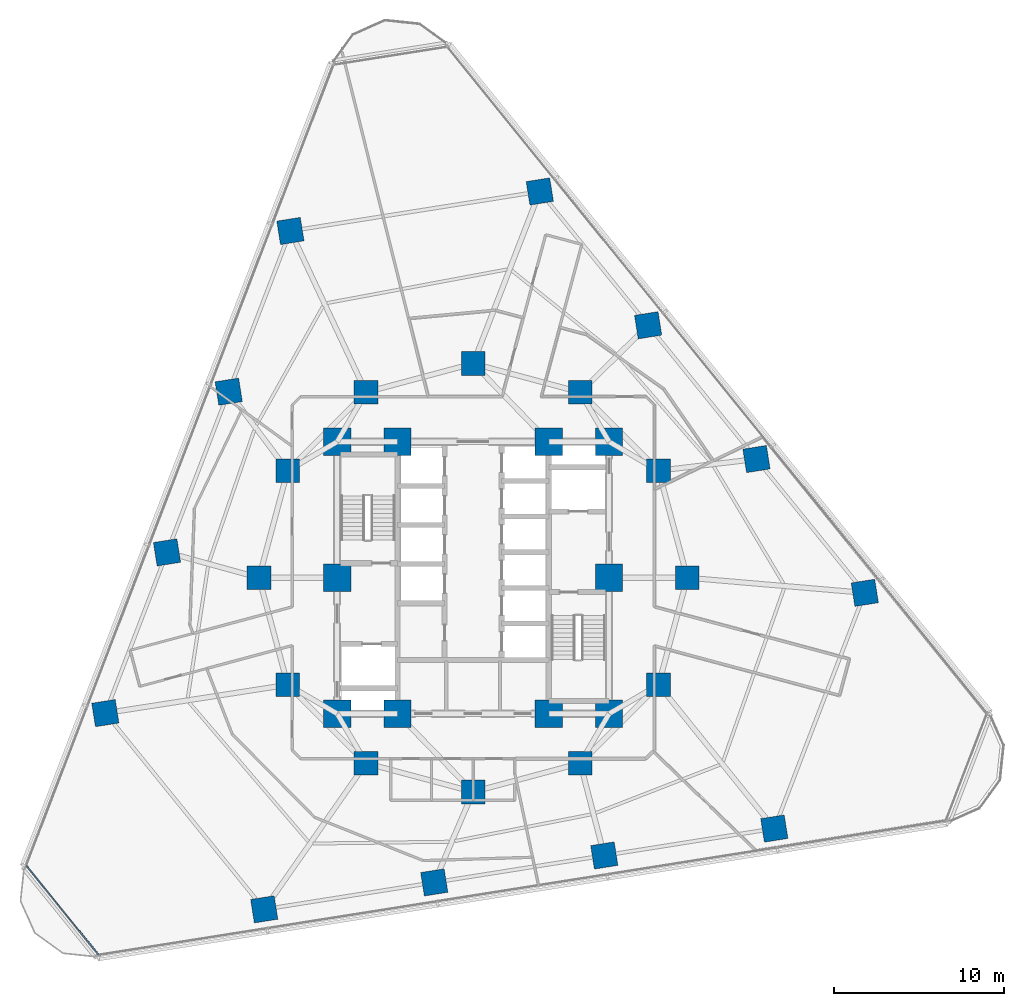
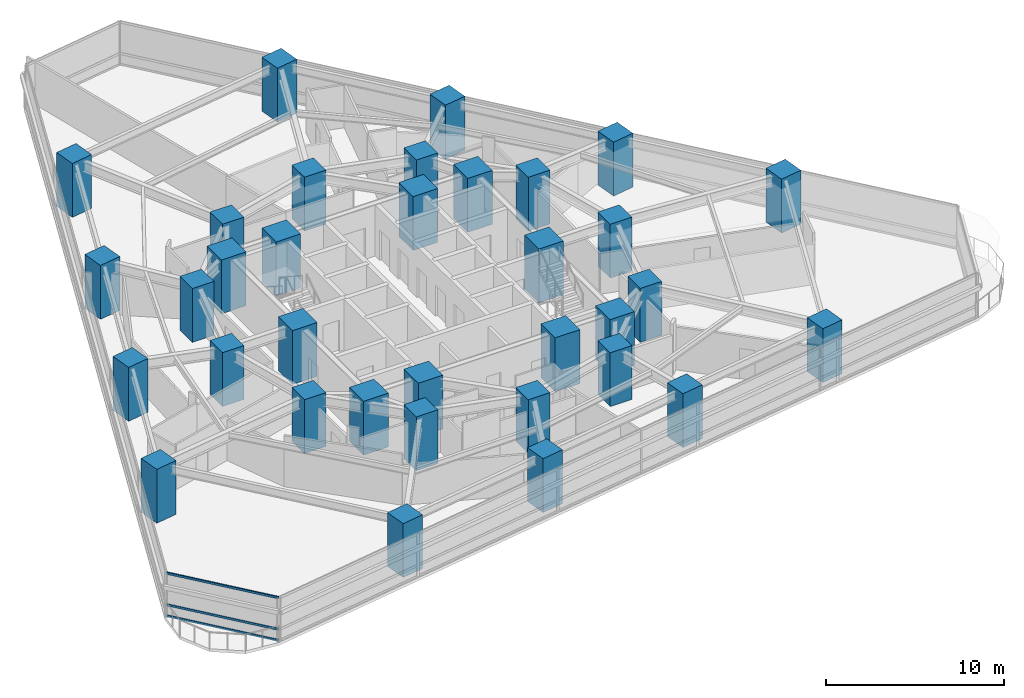
# One storey, part 1 of 14: 34 columns, 3 members, 1 element without a shape of its own.
"""IFC4 building model written with IfcOpenShell, lengths in metres."""

import ifcopenshell
import ifcopenshell.guid

model = None  # the IFC model being written
_history = None  # IfcOwnerHistory: only IFC2X3 demands one
_inside = {}  # id of a spatial element -> (the spatial element, [elements in it])
_under = {}  # id of a project, library or spatial element -> (it, [spatial elements below it])
_declared = {}  # id of a project -> (the project, [libraries it declares])
_typed = {}  # id of a type object -> (the type object, [elements of that type])
_made_of = {}  # id of a material, layer set ... -> (it, [elements and type objects made of it])


def new_model(schema):
    """Start an empty IFC model of exactly this schema.

    Asked for "IFC4X3", IfcOpenShell would pick the latest addendum, in which some entities
    have other attributes; the version numbers below select the first issue.
    IFC2X3 requires an IfcOwnerHistory on every rooted entity: one is made here for all.
    """
    global model, _history
    if schema == "IFC4X3":
        model = ifcopenshell.file(schema_version=(4, 3, 0, 0))
    else:
        model = ifcopenshell.file(schema=schema)
    _inside.clear()
    _under.clear()
    _declared.clear()
    _typed.clear()
    _made_of.clear()
    _history = None
    if model.schema == "IFC2X3":
        org = make("IfcOrganization", Name="unknown")
        user = make(
            "IfcPersonAndOrganization",
            ThePerson=make("IfcPerson", FamilyName="unknown"),
            TheOrganization=org,
        )
        app = make(
            "IfcApplication",
            ApplicationDeveloper=org,
            Version="unknown",
            ApplicationFullName="unknown",
            ApplicationIdentifier="unknown",
        )
        _history = make(
            "IfcOwnerHistory",
            OwningUser=user,
            OwningApplication=app,
            ChangeAction="ADDED",
            CreationDate=0,
        )
    return model


def make(cls, **values):
    """One entity of the class cls with the attributes given. An attribute that is None is left unset."""
    return model.create_entity(
        cls, **{name: value for name, value in values.items() if value is not None}
    )


def rooted(cls, **values):
    """An entity with a GlobalId (a new one), such as an element, a storey or a relation."""
    return make(cls, GlobalId=ifcopenshell.guid.new(), OwnerHistory=_history, **values)


def si_unit(unit_type, name, prefix=None):
    """IfcSIUnit, for example si_unit("LENGTHUNIT", "METRE", prefix="MILLI")."""
    return make("IfcSIUnit", UnitType=unit_type, Prefix=prefix, Name=name)


def assignment(units):
    """IfcUnitAssignment: the units of a project."""
    return None if units is None else make("IfcUnitAssignment", Units=units)


def point(xyz):
    """IfcCartesianPoint."""
    return None if xyz is None else make("IfcCartesianPoint", Coordinates=xyz)


def direction(xyz):
    """IfcDirection."""
    return None if xyz is None else make("IfcDirection", DirectionRatios=xyz)


def frame(location, z_axis=None, x_axis=None):
    """IfcAxis2Placement3D, a coordinate frame: its origin and axes. An axis left out is left unset."""
    return make(
        "IfcAxis2Placement3D",
        Location=point(location),
        Axis=direction(z_axis),
        RefDirection=direction(x_axis),
    )


def frame_2d(location, x_axis=None):
    """IfcAxis2Placement2D, a coordinate frame in the plane: its origin and x axis."""
    return make(
        "IfcAxis2Placement2D", Location=point(location), RefDirection=direction(x_axis)
    )


def origin():
    """The frame at (0, 0, 0) with its axes left unset."""
    return frame((0.0, 0.0, 0.0))


def origin_2d():
    """The frame at (0, 0) in the plane with its x axis left unset."""
    return frame_2d((0.0, 0.0))


def place(relative_to, where):
    """IfcLocalPlacement: puts the frame where relative to a parent placement (None: the world)."""
    return make(
        "IfcLocalPlacement", PlacementRelTo=relative_to, RelativePlacement=where
    )


def context(
    kind, dimensions, precision=None, world=None, true_north=None, identifier=None
):
    """IfcGeometricRepresentationContext, for example the 3D "Model" context."""
    return make(
        "IfcGeometricRepresentationContext",
        ContextIdentifier=identifier,
        ContextType=kind,
        CoordinateSpaceDimension=dimensions,
        Precision=precision,
        WorldCoordinateSystem=world,
        TrueNorth=true_north,
    )


def subcontext(parent, identifier, kind, view, scale=None):
    """IfcGeometricRepresentationSubContext, for example "Body" below "Model"."""
    return make(
        "IfcGeometricRepresentationSubContext",
        ContextIdentifier=identifier,
        ContextType=kind,
        ParentContext=parent,
        TargetScale=scale,
        TargetView=view,
    )


def project(units=None, contexts=None):
    """IfcProject with its units and contexts."""
    return rooted(
        "IfcProject",
        Name="project",
        RepresentationContexts=contexts,
        UnitsInContext=assignment(units),
    )


def spatial(cls, under=None, at=None, **own):
    """A site, building, storey or space (cls), placed at a placement, below another one or the project."""
    s = rooted(cls, ObjectPlacement=at, **own)
    if under is not None:
        _under.setdefault(under.id(), (under, []))[1].append(s)
    return s


def profile(cls, at=None, kind="AREA", **sizes):
    """A parametric profile (cls). Its sizes go by their IFC names, for example OverallWidth=200.0."""
    return make(cls, ProfileType=kind, Position=at, **sizes)


def rectangle(**sizes):
    """IfcRectangleProfileDef."""
    return profile("IfcRectangleProfileDef", **sizes)


def extrude(swept, where, along, depth):
    """IfcExtrudedAreaSolid: the profile swept, set in the frame where, extruded along a direction by depth."""
    return make(
        "IfcExtrudedAreaSolid",
        SweptArea=swept,
        Position=where,
        ExtrudedDirection=direction(along),
        Depth=depth,
    )


def shape(context_of_items, identifier, shape_type, items):
    """IfcShapeRepresentation: the items that make up one representation, for example the "Body"."""
    return make(
        "IfcShapeRepresentation",
        ContextOfItems=context_of_items,
        RepresentationIdentifier=identifier,
        RepresentationType=shape_type,
        Items=items,
    )


def material(Name=None, Category=None):
    """IfcMaterial."""
    return make("IfcMaterial", Name=Name, Category=Category)


def layer(
    of_material, thickness, ventilated=None, Name=None, Category=None, Priority=None
):
    """IfcMaterialLayer: one layer of a wall or slab, of a material (None: an air gap)."""
    return make(
        "IfcMaterialLayer",
        Material=of_material,
        LayerThickness=thickness,
        IsVentilated=ventilated,
        Name=Name,
        Category=Category,
        Priority=Priority,
    )


def layer_set(layers, Name=None):
    """IfcMaterialLayerSet."""
    return make("IfcMaterialLayerSet", MaterialLayers=layers, LayerSetName=Name)


def material_profile(
    of_material, cross_section, Name=None, Category=None, Priority=None
):
    """IfcMaterialProfile: a cross section and its material."""
    return make(
        "IfcMaterialProfile",
        Name=Name,
        Material=of_material,
        Profile=cross_section,
        Priority=Priority,
        Category=Category,
    )


def profile_set(profiles, Name=None, composite=None):
    """IfcMaterialProfileSet."""
    return make(
        "IfcMaterialProfileSet",
        Name=Name,
        MaterialProfiles=profiles,
        CompositeProfile=composite,
    )


def made_of(thing, what):
    """Note that an element or type object is made of a material, layer set ...; save() writes the relation."""
    if what is not None:
        _made_of.setdefault(what.id(), (what, []))[1].append(thing)
    return thing


def type_object(cls, material=None, **own):
    """A type object (cls), such as IfcWallType, which elements share."""
    return made_of(rooted(cls, **own), material)


def element(
    cls,
    number,
    at=None,
    inside=None,
    cuts=None,
    type_object=None,
    material=None,
    context=None,
    identifier="Body",
    shape_type=None,
    held_by="IfcProductDefinitionShape",
    body=None,
    shapes=None,
    **own,
):
    """One element of the class cls, such as IfcWall. Its Tag is "e" and its number.

    at: its placement. inside: the storey or other place that contains it. cuts: it is an
    opening in that element (IfcRelVoidsElement). A single representation is given by context,
    identifier, shape_type and body (its items); several are given by shapes. held_by: the class
    of the entity that holds the representations. save() writes the other relations.
    """
    e = rooted(cls, Tag="e%d" % number, ObjectPlacement=at, **own)
    if body is not None:
        shapes = [shape(context, identifier, shape_type, body)]
    if shapes is not None:
        e.Representation = make(held_by, Representations=shapes)
    if inside is not None:
        _inside.setdefault(inside.id(), (inside, []))[1].append(e)
    if cuts is not None:
        rooted(
            "IfcRelVoidsElement", RelatingBuildingElement=cuts, RelatedOpeningElement=e
        )
    if type_object is not None:
        _typed.setdefault(type_object.id(), (type_object, []))[1].append(e)
    return made_of(e, material)


def aggregate(whole, parts):
    """IfcRelAggregates: a whole, such as a stair, and the parts it consists of."""
    return rooted("IfcRelAggregates", RelatingObject=whole, RelatedObjects=parts)


def save(model, path):
    """Write the relations noted so far, then the file.

    IfcRelAggregates (storeys below a building ...), IfcRelContainedInSpatialStructure (elements
    in a storey), IfcRelDefinesByType, IfcRelAssociatesMaterial and IfcRelDeclares: one each for
    every whole, place, type object, material and project.
    """
    for whole, parts in _under.values():
        aggregate(whole, parts)
    for where, things in _inside.values():
        rooted(
            "IfcRelContainedInSpatialStructure",
            RelatedElements=things,
            RelatingStructure=where,
        )
    for kind, things in _typed.values():
        rooted("IfcRelDefinesByType", RelatedObjects=things, RelatingType=kind)
    for what, things in _made_of.values():
        rooted("IfcRelAssociatesMaterial", RelatedObjects=things, RelatingMaterial=what)
    for by, libraries in _declared.values():
        rooted("IfcRelDeclares", RelatingContext=by, RelatedDefinitions=libraries)
    model.write(path)


model = new_model("IFC4")

# Units and contexts
model_context = context("Model", 3, precision=1e-05, world=origin(), true_north=direction((0.0, 1.0)))
body_context = subcontext(model_context, "Body", "Model", "MODEL_VIEW")
ifc_project = project(units=[si_unit("LENGTHUNIT", "METRE"), si_unit("AREAUNIT", "SQUARE_METRE"), si_unit("VOLUMEUNIT", "CUBIC_METRE"), si_unit("PLANEANGLEUNIT", "RADIAN"), si_unit("MASSUNIT", "GRAM", prefix="KILO")], contexts=[model_context])

# Site, building, storey
site_placement = place(None, origin())
site = spatial("IfcSite", under=ifc_project, at=site_placement, CompositionType="ELEMENT")
building_placement = place(site_placement, origin())
building = spatial("IfcBuilding", under=site, at=building_placement, Name="Terralouvre Media Tower", CompositionType="ELEMENT")
storey_placement = place(building_placement, frame((0.0, 0.0, 74.10009765625)))
storey = spatial("IfcBuildingStorey", under=building, at=storey_placement, Name="L18", CompositionType="ELEMENT", Elevation=74.10009765625)

# Columns
ifc_material_1 = material(Name="Concrete C60/75", Category="concrete")
ifc_material_profile_1 = material_profile(ifc_material_1, rectangle(XDim=1.39990234375, YDim=1.39990234375, at=origin_2d()), Name="RC 1400x1400")
ifc_profile_set_1 = profile_set([ifc_material_profile_1], Name="Concrete C60/75")
column_type_1 = type_object("IfcColumnType", Name="Structural Column C-RC1400 (RC 1400x1400)", PredefinedType="COLUMN", material=ifc_profile_set_1)
for number, where, z_axis, x_axis, name in (
    (1, (12.60009765625, 0.0, 0.0), (0.0, 0.0, 1.0), (1.0, 0.0, 0.0), "L18 Mega-Frame Column MC01"),
    (2, (10.911865234375, 6.300048828125, 0.0), (0.0, 0.0, 1.0), (1.0, 0.0, 0.0), "L18 Mega-Frame Column MC02"),
    (3, (6.300048828125, 10.911865234375, 0.0), (0.0, 0.0, 1.0), (1.0, 0.0, 0.0), "L18 Mega-Frame Column MC03"),
    (4, (0.0, 12.60009765625, 0.0), (0.0, 0.0, 1.0), (1.0, 0.0, 0.0), "L18 Mega-Frame Column MC04"),
    (5, (-6.300048828125, 10.911865234375, 0.0), (0.0, 0.0, 1.0), (1.0, 0.0, 0.0), "L18 Mega-Frame Column MC05"),
    (6, (-10.911865234375, 6.300048828125, 0.0), (0.0, 0.0, 1.0), (1.0, 0.0, 0.0), "L18 Mega-Frame Column MC06"),
    (7, (-12.60009765625, 0.0, 0.0), (0.0, 0.0, 1.0), (1.0, 0.0, 0.0), "L18 Mega-Frame Column MC07"),
    (8, (-10.911865234375, -6.300048828125, 0.0), (0.0, 0.0, 1.0), (1.0, 0.0, 0.0), "L18 Mega-Frame Column MC08"),
    (9, (-6.300048828125, -10.911865234375, 0.0), (0.0, 0.0, 1.0), (1.0, 0.0, 0.0), "L18 Mega-Frame Column MC09"),
    (10, (0.0, -12.60009765625, 0.0), (0.0, 0.0, 1.0), (1.0, 0.0, 0.0), "L18 Mega-Frame Column MC10"),
    (11, (6.300048828125, -10.911865234375, 0.0), (0.0, 0.0, 1.0), (1.0, 0.0, 0.0), "L18 Mega-Frame Column MC11"),
    (12, (10.911865234375, -6.300048828125, 0.0), (0.0, 0.0, 1.0), (1.0, 0.0, 0.0), "L18 Mega-Frame Column MC12"),
    (13, (-12.291015625, -19.511474609375, 0.0), (0.0, 0.0, 1.0), (0.987688340595, 0.15643446504, 0.0), "L18 Perimeter Mega-Column PC11"),
    (14, (-2.287841796875, -17.927001953125, 0.0), (0.0, 0.0, 1.0), (0.987688340595, 0.15643446504, 0.0), "L18 Perimeter Mega-Column PC12"),
    (15, (7.715576171875, -16.3427734375, 0.0), (0.0, 0.0, 1.0), (0.987688340595, 0.15643446504, 0.0), "L18 Perimeter Mega-Column PC13"),
    (16, (17.71875, -14.75830078125, 0.0), (0.0, 0.0, 1.0), (0.987688340595, 0.15643446504, 0.0), "L18 Perimeter Mega-Column PC14"),
    (17, (23.04296875, -0.888671875, 0.0), (0.0, 0.0, 1.0), (0.987688340595, 0.15643446504, 0.0), "L18 Perimeter Mega-Column PC21"),
    (18, (16.669189453125, 6.982421875, 0.0), (0.0, 0.0, 1.0), (0.987688340595, 0.15643446504, 0.0), "L18 Perimeter Mega-Column PC22"),
    (19, (10.29541015625, 14.853271484375, 0.0), (0.0, 0.0, 1.0), (0.987688340595, 0.15643446504, 0.0), "L18 Perimeter Mega-Column PC23"),
    (20, (3.921630859375, 22.72412109375, 0.0), (0.0, 0.0, 1.0), (0.987688340595, 0.15643446504, 0.0), "L18 Perimeter Mega-Column PC24"),
    (21, (-10.751953125, 20.400146484375, 0.0), (0.0, 0.0, 1.0), (0.987688340595, 0.15643446504, 0.0), "L18 Perimeter Mega-Column PC31"),
    (22, (-14.38134765625, 10.94482421875, 0.0), (0.0, 0.0, 1.0), (0.987688340595, 0.15643446504, 0.0), "L18 Perimeter Mega-Column PC32"),
    (23, (-18.010986328125, 1.489501953125, 0.0), (0.0, 0.0, 1.0), (0.987688340595, 0.15643446504, 0.0), "L18 Perimeter Mega-Column PC33"),
    (24, (-21.640625, -7.9658203125, 0.0), (0.0, 0.0, 1.0), (0.987688340595, 0.15643446504, 0.0), "L18 Perimeter Mega-Column PC34"),
):
    element("IfcColumn", number, at=place(storey_placement, frame(where, z_axis=z_axis, x_axis=x_axis)), inside=storey, type_object=column_type_1, Name=name, PredefinedType="COLUMN", context=body_context, shape_type="SweptSolid", body=[
        extrude(rectangle(XDim=1.39990234375, YDim=1.39990234375, at=origin_2d()), origin(), (0.0, 0.0, 1.0), 3.699951171875),
    ])
ifc_material_2 = material(Name="Concrete C60/75", Category="concrete")
ifc_material_profile_2 = material_profile(ifc_material_2, rectangle(XDim=1.60009765625, YDim=1.60009765625, at=origin_2d()), Name="RC 1600x1600")
ifc_profile_set_2 = profile_set([ifc_material_profile_2], Name="Concrete C60/75")
column_type_2 = type_object("IfcColumnType", Name="Structural Column C-RC1600 (RC 1600x1600)", PredefinedType="COLUMN", material=ifc_profile_set_2)
for number, where, z_axis, x_axis, name in (
    (25, (-8.0, -8.0, 0.0), (0.0, 0.0, 1.0), (1.0, 0.0, 0.0), "L18 Core Pilaster Column CP1"),
    (26, (-4.449951171875, -8.0, 0.0), (0.0, 0.0, 1.0), (1.0, 0.0, 0.0), "L18 Core Pilaster Column CP2"),
    (27, (4.449951171875, -8.0, 0.0), (0.0, 0.0, 1.0), (1.0, 0.0, 0.0), "L18 Core Pilaster Column CP10"),
    (28, (8.0, -8.0, 0.0), (0.0, 0.0, 1.0), (1.0, 0.0, 0.0), "L18 Core Pilaster Column CP3"),
    (29, (8.0, 0.0, 0.0), (0.0, 0.0, 1.0), (1.0, 0.0, 0.0), "L18 Core Pilaster Column CP4"),
    (30, (8.0, 8.0, 0.0), (0.0, 0.0, 1.0), (1.0, 0.0, 0.0), "L18 Core Pilaster Column CP5"),
    (31, (4.449951171875, 8.0, 0.0), (0.0, 0.0, 1.0), (1.0, 0.0, 0.0), "L18 Core Pilaster Column CP9"),
    (32, (-4.449951171875, 8.0, 0.0), (0.0, 0.0, 1.0), (1.0, 0.0, 0.0), "L18 Core Pilaster Column CP6"),
    (33, (-8.0, 8.0, 0.0), (0.0, 0.0, 1.0), (1.0, 0.0, 0.0), "L18 Core Pilaster Column CP7"),
    (34, (-8.0, 0.0, 0.0), (0.0, 0.0, 1.0), (1.0, 0.0, 0.0), "L18 Core Pilaster Column CP8"),
):
    element("IfcColumn", number, at=place(storey_placement, frame(where, z_axis=z_axis, x_axis=x_axis)), inside=storey, type_object=column_type_2, Name=name, PredefinedType="COLUMN", context=body_context, shape_type="SweptSolid", body=[
        extrude(rectangle(XDim=1.60009765625, YDim=1.60009765625, at=origin_2d()), origin(), (0.0, 0.0, 1.0), 3.699951171875),
    ])

# Curtain wall, members
ifc_material_3 = material(Name="Low-iron laminated double glazing with solar-control coating", Category="glass")
ifc_layer = layer(ifc_material_3, 0.1650390625, Name="Rounded Wind-Corner Curved Glazing CW-04")
ifc_layer_set = layer_set([ifc_layer], Name="Low-iron laminated double glazing with solar-control coating")
curtain_wall_type = type_object("IfcCurtainWallType", Name="Rounded Wind-Corner Curved Glazing CW-04", PredefinedType="NOTDEFINED", material=ifc_layer_set)
curtain_wall_placement = place(storey_placement, origin())
curtain_wall = element("IfcCurtainWall", 35, at=curtain_wall_placement, inside=storey, type_object=curtain_wall_type, Name="L18 Rounded Wind-Corner Curtain Wall C0", PredefinedType="NOTDEFINED")
ifc_material_4 = material(Name="Anodised extruded aluminium 6063-T6", Category="aluminium")
ifc_material_profile_3 = material_profile(ifc_material_4, rectangle(XDim=0.074951171875, YDim=0.14990234375, at=origin_2d()), Name="ALU 75x150")
ifc_profile_set_3 = profile_set([ifc_material_profile_3], Name="Anodised extruded aluminium 6063-T6")
member_type = type_object("IfcMemberType", Name="Curtain-Wall Horizontal Transom TR-150", PredefinedType="USERDEFINED", material=ifc_profile_set_3)
member_1_placement = place(storey_placement, frame((-26.281005859375, -16.943359375, 0.037353515625), z_axis=(0.629324238094, -0.777142846167, 0.0), x_axis=(0.777142846167, 0.629324238094, 0.0)))
member_1 = element("IfcMember", 36, at=member_1_placement, type_object=member_type, Name="CW-04 transom 1.1", ObjectType="TRANSOM", PredefinedType="USERDEFINED", context=body_context, shape_type="SweptSolid", body=[
    extrude(rectangle(XDim=0.074951171875, YDim=0.14990234375, at=origin_2d()), origin(), (0.0, 0.0, 1.0), 6.74365234375),
])
member_2_placement = place(storey_placement, frame((-26.281005859375, -16.943359375, 0.7998046875), z_axis=(0.629324238094, -0.777142846167, 0.0), x_axis=(0.777142846167, 0.629324238094, 0.0)))
member_2 = element("IfcMember", 37, at=member_2_placement, type_object=member_type, Name="CW-04 transom 1.2", ObjectType="TRANSOM", PredefinedType="USERDEFINED", context=body_context, shape_type="SweptSolid", body=[
    extrude(rectangle(XDim=0.074951171875, YDim=0.14990234375, at=origin_2d()), origin(), (0.0, 0.0, 1.0), 6.74365234375),
])
member_3_placement = place(storey_placement, frame((-26.281005859375, -16.943359375, 2.96240234375), z_axis=(0.629324238094, -0.777142846167, 0.0), x_axis=(0.777142846167, 0.629324238094, 0.0)))
member_3 = element("IfcMember", 38, at=member_3_placement, type_object=member_type, Name="CW-04 transom 1.3", ObjectType="TRANSOM", PredefinedType="USERDEFINED", context=body_context, shape_type="SweptSolid", body=[
    extrude(rectangle(XDim=0.074951171875, YDim=0.14990234375, at=origin_2d()), origin(), (0.0, 0.0, 1.0), 6.74365234375),
])
aggregate(curtain_wall, [member_1, member_2, member_3])

save(model, "model.ifc")
